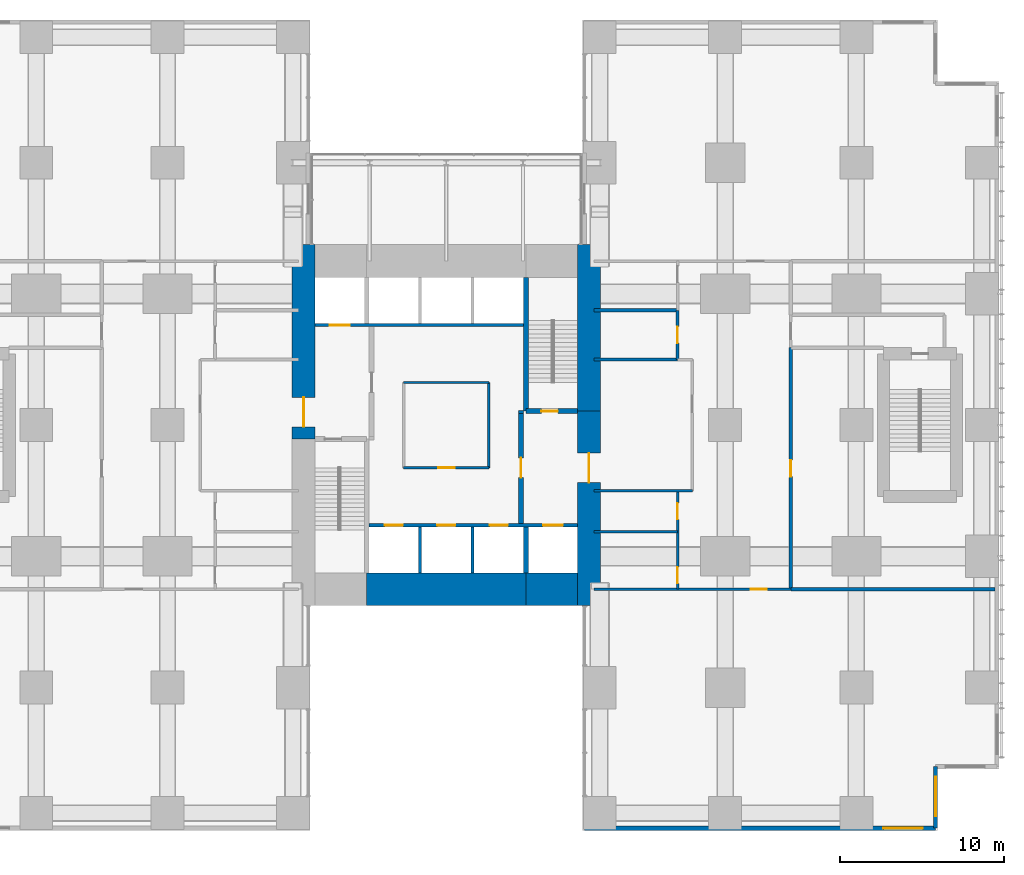
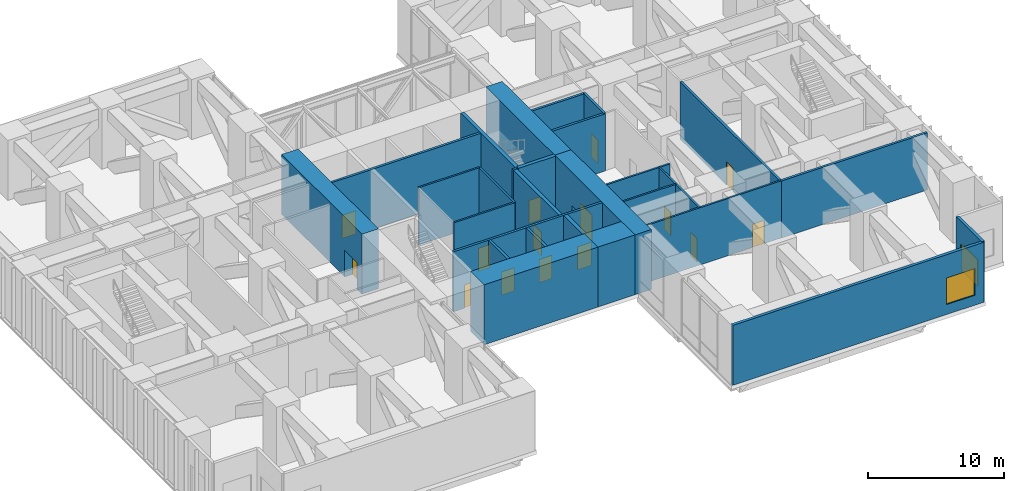
# One storey, part 14 of 17: 28 walls, 15 doors, 2 windows, 17 openings.
"""IFC4 building model written with IfcOpenShell, lengths in metres."""

import ifcopenshell
import ifcopenshell.guid

model = None  # the IFC model being written
_history = None  # IfcOwnerHistory: only IFC2X3 demands one
_inside = {}  # id of a spatial element -> (the spatial element, [elements in it])
_under = {}  # id of a project, library or spatial element -> (it, [spatial elements below it])
_declared = {}  # id of a project -> (the project, [libraries it declares])
_typed = {}  # id of a type object -> (the type object, [elements of that type])
_made_of = {}  # id of a material, layer set ... -> (it, [elements and type objects made of it])


def new_model(schema):
    """Start an empty IFC model of exactly this schema.

    Asked for "IFC4X3", IfcOpenShell would pick the latest addendum, in which some entities
    have other attributes; the version numbers below select the first issue.
    IFC2X3 requires an IfcOwnerHistory on every rooted entity: one is made here for all.
    """
    global model, _history
    if schema == "IFC4X3":
        model = ifcopenshell.file(schema_version=(4, 3, 0, 0))
    else:
        model = ifcopenshell.file(schema=schema)
    _inside.clear()
    _under.clear()
    _declared.clear()
    _typed.clear()
    _made_of.clear()
    _history = None
    if model.schema == "IFC2X3":
        org = make("IfcOrganization", Name="unknown")
        user = make(
            "IfcPersonAndOrganization",
            ThePerson=make("IfcPerson", FamilyName="unknown"),
            TheOrganization=org,
        )
        app = make(
            "IfcApplication",
            ApplicationDeveloper=org,
            Version="unknown",
            ApplicationFullName="unknown",
            ApplicationIdentifier="unknown",
        )
        _history = make(
            "IfcOwnerHistory",
            OwningUser=user,
            OwningApplication=app,
            ChangeAction="ADDED",
            CreationDate=0,
        )
    return model


def make(cls, **values):
    """One entity of the class cls with the attributes given. An attribute that is None is left unset."""
    return model.create_entity(
        cls, **{name: value for name, value in values.items() if value is not None}
    )


def rooted(cls, **values):
    """An entity with a GlobalId (a new one), such as an element, a storey or a relation."""
    return make(cls, GlobalId=ifcopenshell.guid.new(), OwnerHistory=_history, **values)


def si_unit(unit_type, name, prefix=None):
    """IfcSIUnit, for example si_unit("LENGTHUNIT", "METRE", prefix="MILLI")."""
    return make("IfcSIUnit", UnitType=unit_type, Prefix=prefix, Name=name)


def assignment(units):
    """IfcUnitAssignment: the units of a project."""
    return None if units is None else make("IfcUnitAssignment", Units=units)


def point(xyz):
    """IfcCartesianPoint."""
    return None if xyz is None else make("IfcCartesianPoint", Coordinates=xyz)


def direction(xyz):
    """IfcDirection."""
    return None if xyz is None else make("IfcDirection", DirectionRatios=xyz)


def frame(location, z_axis=None, x_axis=None):
    """IfcAxis2Placement3D, a coordinate frame: its origin and axes. An axis left out is left unset."""
    return make(
        "IfcAxis2Placement3D",
        Location=point(location),
        Axis=direction(z_axis),
        RefDirection=direction(x_axis),
    )


def frame_2d(location, x_axis=None):
    """IfcAxis2Placement2D, a coordinate frame in the plane: its origin and x axis."""
    return make(
        "IfcAxis2Placement2D", Location=point(location), RefDirection=direction(x_axis)
    )


def origin():
    """The frame at (0, 0, 0) with its axes left unset."""
    return frame((0.0, 0.0, 0.0))


def place(relative_to, where):
    """IfcLocalPlacement: puts the frame where relative to a parent placement (None: the world)."""
    return make(
        "IfcLocalPlacement", PlacementRelTo=relative_to, RelativePlacement=where
    )


def context(
    kind, dimensions, precision=None, world=None, true_north=None, identifier=None
):
    """IfcGeometricRepresentationContext, for example the 3D "Model" context."""
    return make(
        "IfcGeometricRepresentationContext",
        ContextIdentifier=identifier,
        ContextType=kind,
        CoordinateSpaceDimension=dimensions,
        Precision=precision,
        WorldCoordinateSystem=world,
        TrueNorth=true_north,
    )


def subcontext(parent, identifier, kind, view, scale=None):
    """IfcGeometricRepresentationSubContext, for example "Body" below "Model"."""
    return make(
        "IfcGeometricRepresentationSubContext",
        ContextIdentifier=identifier,
        ContextType=kind,
        ParentContext=parent,
        TargetScale=scale,
        TargetView=view,
    )


def project(units=None, contexts=None):
    """IfcProject with its units and contexts."""
    return rooted(
        "IfcProject",
        Name="project",
        RepresentationContexts=contexts,
        UnitsInContext=assignment(units),
    )


def spatial(cls, under=None, at=None, **own):
    """A site, building, storey or space (cls), placed at a placement, below another one or the project."""
    s = rooted(cls, ObjectPlacement=at, **own)
    if under is not None:
        _under.setdefault(under.id(), (under, []))[1].append(s)
    return s


def profile(cls, at=None, kind="AREA", **sizes):
    """A parametric profile (cls). Its sizes go by their IFC names, for example OverallWidth=200.0."""
    return make(cls, ProfileType=kind, Position=at, **sizes)


def rectangle(**sizes):
    """IfcRectangleProfileDef."""
    return profile("IfcRectangleProfileDef", **sizes)


def extrude(swept, where, along, depth):
    """IfcExtrudedAreaSolid: the profile swept, set in the frame where, extruded along a direction by depth."""
    return make(
        "IfcExtrudedAreaSolid",
        SweptArea=swept,
        Position=where,
        ExtrudedDirection=direction(along),
        Depth=depth,
    )


def shape(context_of_items, identifier, shape_type, items):
    """IfcShapeRepresentation: the items that make up one representation, for example the "Body"."""
    return make(
        "IfcShapeRepresentation",
        ContextOfItems=context_of_items,
        RepresentationIdentifier=identifier,
        RepresentationType=shape_type,
        Items=items,
    )


def material(Name=None, Category=None):
    """IfcMaterial."""
    return make("IfcMaterial", Name=Name, Category=Category)


def layer(
    of_material, thickness, ventilated=None, Name=None, Category=None, Priority=None
):
    """IfcMaterialLayer: one layer of a wall or slab, of a material (None: an air gap)."""
    return make(
        "IfcMaterialLayer",
        Material=of_material,
        LayerThickness=thickness,
        IsVentilated=ventilated,
        Name=Name,
        Category=Category,
        Priority=Priority,
    )


def layer_set(layers, Name=None):
    """IfcMaterialLayerSet."""
    return make("IfcMaterialLayerSet", MaterialLayers=layers, LayerSetName=Name)


def made_of(thing, what):
    """Note that an element or type object is made of a material, layer set ...; save() writes the relation."""
    if what is not None:
        _made_of.setdefault(what.id(), (what, []))[1].append(thing)
    return thing


def type_object(cls, material=None, **own):
    """A type object (cls), such as IfcWallType, which elements share."""
    return made_of(rooted(cls, **own), material)


def element(
    cls,
    number,
    at=None,
    inside=None,
    cuts=None,
    type_object=None,
    material=None,
    context=None,
    identifier="Body",
    shape_type=None,
    held_by="IfcProductDefinitionShape",
    body=None,
    shapes=None,
    **own,
):
    """One element of the class cls, such as IfcWall. Its Tag is "e" and its number.

    at: its placement. inside: the storey or other place that contains it. cuts: it is an
    opening in that element (IfcRelVoidsElement). A single representation is given by context,
    identifier, shape_type and body (its items); several are given by shapes. held_by: the class
    of the entity that holds the representations. save() writes the other relations.
    """
    e = rooted(cls, Tag="e%d" % number, ObjectPlacement=at, **own)
    if body is not None:
        shapes = [shape(context, identifier, shape_type, body)]
    if shapes is not None:
        e.Representation = make(held_by, Representations=shapes)
    if inside is not None:
        _inside.setdefault(inside.id(), (inside, []))[1].append(e)
    if cuts is not None:
        rooted(
            "IfcRelVoidsElement", RelatingBuildingElement=cuts, RelatedOpeningElement=e
        )
    if type_object is not None:
        _typed.setdefault(type_object.id(), (type_object, []))[1].append(e)
    return made_of(e, material)


def fill(opening, filler):
    """IfcRelFillsElement: the door or window that sits in an opening."""
    return rooted(
        "IfcRelFillsElement",
        RelatingOpeningElement=opening,
        RelatedBuildingElement=filler,
    )


def aggregate(whole, parts):
    """IfcRelAggregates: a whole, such as a stair, and the parts it consists of."""
    return rooted("IfcRelAggregates", RelatingObject=whole, RelatedObjects=parts)


def save(model, path):
    """Write the relations noted so far, then the file.

    IfcRelAggregates (storeys below a building ...), IfcRelContainedInSpatialStructure (elements
    in a storey), IfcRelDefinesByType, IfcRelAssociatesMaterial and IfcRelDeclares: one each for
    every whole, place, type object, material and project.
    """
    for whole, parts in _under.values():
        aggregate(whole, parts)
    for where, things in _inside.values():
        rooted(
            "IfcRelContainedInSpatialStructure",
            RelatedElements=things,
            RelatingStructure=where,
        )
    for kind, things in _typed.values():
        rooted("IfcRelDefinesByType", RelatedObjects=things, RelatingType=kind)
    for what, things in _made_of.values():
        rooted("IfcRelAssociatesMaterial", RelatedObjects=things, RelatingMaterial=what)
    for by, libraries in _declared.values():
        rooted("IfcRelDeclares", RelatingContext=by, RelatedDefinitions=libraries)
    model.write(path)


model = new_model("IFC4")

# Units and contexts
model_context = context("Model", 3, precision=1e-05, world=origin(), true_north=direction((0.0, 1.0)))
body_context = subcontext(model_context, "Body", "Model", "MODEL_VIEW")
ifc_project = project(units=[si_unit("LENGTHUNIT", "METRE"), si_unit("AREAUNIT", "SQUARE_METRE"), si_unit("VOLUMEUNIT", "CUBIC_METRE"), si_unit("PLANEANGLEUNIT", "RADIAN"), si_unit("MASSUNIT", "GRAM", prefix="KILO")], contexts=[model_context])

# Site, building, storey
site_placement = place(None, origin())
site = spatial("IfcSite", under=ifc_project, at=site_placement, CompositionType="ELEMENT")
building_placement = place(site_placement, origin())
building = spatial("IfcBuilding", under=site, at=building_placement, Name="Cleftline Residences", CompositionType="ELEMENT")
storey_placement = place(building_placement, frame((0.0, 0.0, 90.800048828125)))
storey = spatial("IfcBuildingStorey", under=building, at=storey_placement, Name="L23", CompositionType="ELEMENT", Elevation=90.800048828125)

# Wall, opening, door
ifc_material_1 = material(Name="Concrete B70", Category="concrete")
ifc_layer_1 = layer(ifc_material_1, 1.39990234375)
ifc_layer_set_1 = layer_set([ifc_layer_1], Name="CORE WALL 1400")
wall_type_1 = type_object("IfcWallType", Name="CORE WALL 1400", PredefinedType="SHEAR", material=ifc_layer_set_1)
wall_1_placement = place(storey_placement, frame((24.300048828125, 23.14990234375, 0.0), z_axis=(0.0, 0.0, 1.0), x_axis=(0.0, 1.0, 0.0)))
wall_1 = element("IfcWall", 1, at=wall_1_placement, inside=storey, type_object=wall_type_1, Name="Core wall W", PredefinedType="SHEAR", context=body_context, shape_type="SweptSolid", body=[
    extrude(rectangle(XDim=11.85009765625, YDim=1.39990234375, at=frame_2d((5.925048828125, 0.0))), origin(), (0.0, 0.0, 1.0), 5.39990234375),
])
opening_1_placement = place(wall_1_placement, frame((0.75, 0.0, 0.0)))
opening_1 = element("IfcOpeningElement", 2, at=opening_1_placement, cuts=wall_1, Name="Opening D7", PredefinedType="OPENING", context=body_context, shape_type="SweptSolid", body=[
    extrude(rectangle(XDim=1.800048828125, YDim=2.39990234375, at=frame_2d((0.89990234375, 1.199951171875))), frame((0.0, 0.7099609375, 0.0), z_axis=(0.0, -1.0, 0.0), x_axis=(1.0, 0.0, 0.0)), (0.0, 0.0, 1.0), 1.419921875),
])
ifc_material_2 = material(Name="Steel", Category="steel")
door_type_1 = type_object("IfcDoorType", Name="WING DOOR 1800X2400", OperationType="DOUBLE_DOOR_DOUBLE_SWING", PredefinedType="DOOR", material=ifc_material_2)
door_1_placement = place(opening_1_placement, origin())
door_1 = element("IfcDoor", 3, at=door_1_placement, inside=storey, type_object=door_type_1, Name="West wing door", OperationType="DOUBLE_DOOR_DOUBLE_SWING", OverallHeight=2.39990234375, OverallWidth=1.800048828125, PredefinedType="DOOR", context=body_context, shape_type="SweptSolid", body=[
    extrude(rectangle(XDim=1.800048828125, YDim=2.39990234375, at=frame_2d((0.89990234375, 1.199951171875))), frame((0.0, 0.02490234375, 0.0), z_axis=(0.0, -1.0, 0.0), x_axis=(1.0, 0.0, 0.0)), (0.0, 0.0, 1.0), 0.050048828125),
])
fill(opening_1, door_1)

wall_2_placement = place(storey_placement, frame((41.699951171875, 13.0, 0.0), z_axis=(0.0, 0.0, 1.0), x_axis=(0.0, 1.0, 0.0)))
wall_2 = element("IfcWall", 4, at=wall_2_placement, inside=storey, type_object=wall_type_1, Name="Core wall E", PredefinedType="SHEAR", context=body_context, shape_type="SweptSolid", body=[
    extrude(rectangle(XDim=11.85009765625, YDim=1.39990234375, at=frame_2d((5.925048828125, 0.0))), origin(), (0.0, 0.0, 1.0), 5.39990234375),
])
opening_2_placement = place(wall_2_placement, frame((7.5, 0.0, 0.0)))
opening_2 = element("IfcOpeningElement", 5, at=opening_2_placement, cuts=wall_2, Name="Opening D7", PredefinedType="OPENING", context=body_context, shape_type="SweptSolid", body=[
    extrude(rectangle(XDim=1.800048828125, YDim=2.39990234375, at=frame_2d((0.89990234375, 1.199951171875))), frame((0.0, 0.7099609375, 0.0), z_axis=(0.0, -1.0, 0.0), x_axis=(1.0, 0.0, 0.0)), (0.0, 0.0, 1.0), 1.419921875),
])
door_2_placement = place(opening_2_placement, origin())
door_2 = element("IfcDoor", 6, at=door_2_placement, inside=storey, type_object=door_type_1, Name="East wing door", OperationType="DOUBLE_DOOR_DOUBLE_SWING", OverallHeight=2.39990234375, OverallWidth=1.800048828125, PredefinedType="DOOR", context=body_context, shape_type="SweptSolid", body=[
    extrude(rectangle(XDim=1.800048828125, YDim=2.39990234375, at=frame_2d((0.89990234375, 1.199951171875))), frame((0.0, 0.02490234375, 0.0), z_axis=(0.0, -1.0, 0.0), x_axis=(1.0, 0.0, 0.0)), (0.0, 0.0, 1.0), 0.050048828125),
])
fill(opening_2, door_2)

# Walls
wall_3_placement = place(storey_placement, frame((41.699951171875, 24.85009765625, 0.0), z_axis=(0.0, 0.0, 1.0), x_axis=(0.0, 1.0, 0.0)))
element("IfcWall", 7, at=wall_3_placement, inside=storey, type_object=wall_type_1, Name="Core wall E1", PredefinedType="SHEAR", context=body_context, shape_type="SweptSolid", body=[
    extrude(rectangle(XDim=10.14990234375, YDim=1.39990234375, at=frame_2d((5.074951171875, 0.0))), origin(), (0.0, 0.0, 1.0), 5.39990234375),
])
ifc_material_3 = material(Name="Concrete B70", Category="concrete")
ifc_layer_2 = layer(ifc_material_3, 2.0)
ifc_layer_set_2 = layer_set([ifc_layer_2], Name="CORE WALL 2000")
wall_type_2 = type_object("IfcWallType", Name="CORE WALL 2000", PredefinedType="SHEAR", material=ifc_layer_set_2)
wall_4_placement = place(storey_placement, frame((28.14990234375, 14.0, 0.0), z_axis=(0.0, 0.0, 1.0), x_axis=(1.0, 0.0, 0.0)))
element("IfcWall", 8, at=wall_4_placement, inside=storey, type_object=wall_type_2, Name="Core wall S2", PredefinedType="SHEAR", context=body_context, shape_type="SweptSolid", body=[
    extrude(rectangle(XDim=9.7001953125, YDim=2.0, at=frame_2d((4.85009765625, 0.0))), origin(), (0.0, 0.0, 1.0), 5.39990234375),
])
wall_5_placement = place(storey_placement, frame((37.85009765625, 14.0, 0.0), z_axis=(0.0, 0.0, 1.0), x_axis=(1.0, 0.0, 0.0)))
element("IfcWall", 9, at=wall_5_placement, inside=storey, type_object=wall_type_2, Name="Core wall S3", PredefinedType="SHEAR", context=body_context, shape_type="SweptSolid", body=[
    extrude(rectangle(XDim=3.14990234375, YDim=2.0, at=frame_2d((1.574951171875, 0.0))), origin(), (0.0, 0.0, 1.0), 5.39990234375),
])
ifc_material_4 = material(Name="Concrete B70", Category="concrete")
ifc_layer_3 = layer(ifc_material_4, 0.300048828125)
ifc_layer_set_3 = layer_set([ifc_layer_3], Name="CORE WALL 300")
wall_type_3 = type_object("IfcWallType", Name="CORE WALL 300", PredefinedType="SHEAR", material=ifc_layer_set_3)
wall_6_placement = place(storey_placement, frame((37.85009765625, 24.85009765625, 0.0), z_axis=(0.0, 0.0, 1.0), x_axis=(0.0, 1.0, 0.0)))
element("IfcWall", 10, at=wall_6_placement, inside=storey, type_object=wall_type_3, Name="Core wall SB-W", PredefinedType="SHEAR", context=body_context, shape_type="SweptSolid", body=[
    extrude(rectangle(XDim=8.14990234375, YDim=0.300048828125, at=frame_2d((4.074951171875, 0.0))), origin(), (0.0, 0.0, 1.0), 5.39990234375),
])

# Wall, opening, door
wall_7_placement = place(storey_placement, frame((37.85009765625, 24.85009765625, 0.0), z_axis=(0.0, 0.0, 1.0), x_axis=(1.0, 0.0, 0.0)))
wall_7 = element("IfcWall", 11, at=wall_7_placement, inside=storey, type_object=wall_type_3, Name="Core wall SB-S", PredefinedType="SHEAR", context=body_context, shape_type="SweptSolid", body=[
    extrude(rectangle(XDim=3.14990234375, YDim=0.300048828125, at=frame_2d((1.574951171875, 0.0))), origin(), (0.0, 0.0, 1.0), 5.39990234375),
])
opening_3_placement = place(wall_7_placement, frame((0.949951171875, 0.0, 0.0)))
opening_3 = element("IfcOpeningElement", 12, at=opening_3_placement, cuts=wall_7, Name="Opening D5", PredefinedType="OPENING", context=body_context, shape_type="SweptSolid", body=[
    extrude(rectangle(XDim=1.0, YDim=2.10009765625, at=frame_2d((0.5, 1.050048828125))), frame((0.0, 0.159912109375, 0.0), z_axis=(0.0, -1.0, 0.0), x_axis=(1.0, 0.0, 0.0)), (0.0, 0.0, 1.0), 0.320068359375),
])
ifc_material_5 = material(Name="Steel", Category="steel")
door_type_2 = type_object("IfcDoorType", Name="STAIR DOOR 1000X2100", OperationType="SINGLE_SWING_LEFT", PredefinedType="DOOR", material=ifc_material_5)
door_3_placement = place(opening_3_placement, origin())
door_3 = element("IfcDoor", 13, at=door_3_placement, inside=storey, type_object=door_type_2, Name="Stair B door", OperationType="SINGLE_SWING_RIGHT", OverallHeight=2.10009765625, OverallWidth=1.0, PredefinedType="DOOR", context=body_context, shape_type="SweptSolid", body=[
    extrude(rectangle(XDim=1.0, YDim=2.10009765625, at=frame_2d((0.5, 1.050048828125))), frame((0.0, 0.02490234375, 0.0), z_axis=(0.0, -1.0, 0.0), x_axis=(1.0, 0.0, 0.0)), (0.0, 0.0, 1.0), 0.050048828125),
])
fill(opening_3, door_3)

# Wall
wall_8_placement = place(storey_placement, frame((37.85009765625, 15.0, 0.0), z_axis=(0.0, 0.0, 1.0), x_axis=(0.0, 1.0, 0.0)))
element("IfcWall", 14, at=wall_8_placement, inside=storey, type_object=wall_type_3, Name="Lift shaft wall", PredefinedType="SHEAR", context=body_context, shape_type="SweptSolid", body=[
    extrude(rectangle(XDim=2.800048828125, YDim=0.300048828125, at=frame_2d((1.39990234375, 0.0))), origin(), (0.0, 0.0, 1.0), 5.39990234375),
])

# Wall, opening, window
ifc_material_6 = material(Name="Rendered reinforced concrete blockwork", Category="masonry")
ifc_layer_4 = layer(ifc_material_6, 0.25)
ifc_layer_set_4 = layer_set([ifc_layer_4], Name="EXTERNAL WALL 250")
wall_type_4 = type_object("IfcWallType", Name="EXTERNAL WALL 250", PredefinedType="SOLIDWALL", material=ifc_layer_set_4)
wall_9_placement = place(storey_placement, frame((41.425048828125, -0.574951171875, 0.0), z_axis=(0.0, 0.0, 1.0), x_axis=(1.0, 0.0, 0.0)))
wall_9 = element("IfcWall", 15, at=wall_9_placement, inside=storey, type_object=wall_type_4, Name="External wall", PredefinedType="SOLIDWALL", context=body_context, shape_type="SweptSolid", body=[
    extrude(rectangle(XDim=21.39990234375, YDim=0.25, at=frame_2d((10.699951171875, 0.0))), origin(), (0.0, 0.0, 1.0), 5.39990234375),
])
opening_4_placement = place(wall_9_placement, frame((18.22509765625, 0.0, 0.89990234375)))
opening_4 = element("IfcOpeningElement", 16, at=opening_4_placement, cuts=wall_9, Name="Opening W9", PredefinedType="OPENING", context=body_context, shape_type="SweptSolid", body=[
    extrude(rectangle(XDim=2.39990234375, YDim=2.39990234375, at=frame_2d((1.199951171875, 1.199951171875))), frame((0.0, 0.135009765625, 0.0), z_axis=(0.0, -1.0, 0.0), x_axis=(1.0, 0.0, 0.0)), (0.0, 0.0, 1.0), 0.27001953125),
])
ifc_material_7 = material(Name="Aluminium frame, clear double glazing", Category="aluminium")
window_type = type_object("IfcWindowType", Name="WINDOW 2400X2400", PartitioningType="DOUBLE_PANEL_VERTICAL", PredefinedType="WINDOW", material=ifc_material_7)
window_1_placement = place(opening_4_placement, origin())
window_1 = element("IfcWindow", 17, at=window_1_placement, inside=storey, type_object=window_type, Name="Window", OverallHeight=2.39990234375, OverallWidth=2.39990234375, PartitioningType="SINGLE_PANEL", PredefinedType="WINDOW", context=body_context, shape_type="SweptSolid", body=[
    extrude(rectangle(XDim=2.39990234375, YDim=2.39990234375, at=frame_2d((1.199951171875, 1.199951171875))), frame((0.0, 0.030029296875, 0.0), z_axis=(0.0, -1.0, 0.0), x_axis=(1.0, 0.0, 0.0)), (0.0, 0.0, 1.0), 0.06005859375),
])
fill(opening_4, window_1)

wall_10_placement = place(storey_placement, frame((62.824951171875, -0.574951171875, 0.0), z_axis=(0.0, 0.0, 1.0), x_axis=(0.0, 1.0, 0.0)))
wall_10 = element("IfcWall", 18, at=wall_10_placement, inside=storey, type_object=wall_type_4, Name="External wall", PredefinedType="SOLIDWALL", context=body_context, shape_type="SweptSolid", body=[
    extrude(rectangle(XDim=3.75, YDim=0.25, at=frame_2d((1.875, 0.0))), origin(), (0.0, 0.0, 1.0), 5.39990234375),
])
opening_5_placement = place(wall_10_placement, frame((0.737548828125, 0.0, 0.89990234375)))
opening_5 = element("IfcOpeningElement", 19, at=opening_5_placement, cuts=wall_10, Name="Opening W9", PredefinedType="OPENING", context=body_context, shape_type="SweptSolid", body=[
    extrude(rectangle(XDim=2.39990234375, YDim=2.39990234375, at=frame_2d((1.199951171875, 1.199951171875))), frame((0.0, 0.135009765625, 0.0), z_axis=(0.0, -1.0, 0.0), x_axis=(1.0, 0.0, 0.0)), (0.0, 0.0, 1.0), 0.27001953125),
])
window_2_placement = place(opening_5_placement, origin())
window_2 = element("IfcWindow", 20, at=window_2_placement, inside=storey, type_object=window_type, Name="Window", OverallHeight=2.39990234375, OverallWidth=2.39990234375, PartitioningType="SINGLE_PANEL", PredefinedType="WINDOW", context=body_context, shape_type="SweptSolid", body=[
    extrude(rectangle(XDim=2.39990234375, YDim=2.39990234375, at=frame_2d((1.199951171875, 1.199951171875))), frame((0.0, 0.030029296875, 0.0), z_axis=(0.0, -1.0, 0.0), x_axis=(1.0, 0.0, 0.0)), (0.0, 0.0, 1.0), 0.06005859375),
])
fill(opening_5, window_2)

# Walls
ifc_material_8 = material(Name="Concrete blockwork, fire rated", Category="masonry")
ifc_layer_5 = layer(ifc_material_8, 0.199951171875)
ifc_layer_set_5 = layer_set([ifc_layer_5], Name="FIRE WALL 200")
wall_type_5 = type_object("IfcWallType", Name="FIRE WALL 200", PredefinedType="PARTITIONING", material=ifc_layer_set_5)
wall_11_placement = place(storey_placement, frame((54.0, 14.0, 0.0), z_axis=(0.0, 0.0, 1.0), x_axis=(1.0, 0.0, 0.0)))
element("IfcWall", 21, at=wall_11_placement, inside=storey, type_object=wall_type_5, Name="Fire separating wall", PredefinedType="PARTITIONING", context=body_context, shape_type="SweptSolid", body=[
    extrude(rectangle(XDim=12.449951171875, YDim=0.199951171875, at=frame_2d((6.22509765625, 0.0))), origin(), (0.0, 0.0, 1.0), 5.14990234375),
])
for number, where, z_axis, x_axis, name in (
    (22, (42.0, 28.0, 0.0), (0.0, 0.0, 1.0), (1.0, 0.0, 0.0), "Fire separating wall"),
    (23, (42.0, 31.0, 0.0), (0.0, 0.0, 1.0), (1.0, 0.0, 0.0), "Fire separating wall"),
):
    element("IfcWall", number, at=place(storey_placement, frame(where, z_axis=z_axis, x_axis=x_axis)), inside=storey, type_object=wall_type_5, Name=name, PredefinedType="PARTITIONING", context=body_context, shape_type="SweptSolid", body=[
        extrude(rectangle(XDim=5.10009765625, YDim=0.199951171875, at=frame_2d((2.550048828125, 0.0))), origin(), (0.0, 0.0, 1.0), 5.14990234375),
    ])

# Wall, opening, door
wall_12_placement = place(storey_placement, frame((47.10009765625, 28.0, 0.0), z_axis=(0.0, 0.0, 1.0), x_axis=(0.0, 1.0, 0.0)))
wall_12 = element("IfcWall", 24, at=wall_12_placement, inside=storey, type_object=wall_type_5, Name="Fire separating wall", PredefinedType="PARTITIONING", context=body_context, shape_type="SweptSolid", body=[
    extrude(rectangle(XDim=3.0, YDim=0.199951171875, at=frame_2d((1.5, 0.0))), origin(), (0.0, 0.0, 1.0), 5.14990234375),
])
opening_6_placement = place(wall_12_placement, frame((1.0, 0.0, 0.0)))
opening_6 = element("IfcOpeningElement", 25, at=opening_6_placement, cuts=wall_12, Name="Opening D2F60", PredefinedType="OPENING", context=body_context, shape_type="SweptSolid", body=[
    extrude(rectangle(XDim=1.0, YDim=2.10009765625, at=frame_2d((0.5, 1.050048828125))), frame((0.0, 0.10986328125, 0.0), z_axis=(0.0, -1.0, 0.0), x_axis=(1.0, 0.0, 0.0)), (0.0, 0.0, 1.0), 0.219970703125),
])
ifc_material_9 = material(Name="Timber veneer on solid core", Category="wood")
door_type_3 = type_object("IfcDoorType", Name="DOOR 1000X2100 EI 60", OperationType="SINGLE_SWING_LEFT", PredefinedType="DOOR", material=ifc_material_9)
door_4_placement = place(opening_6_placement, origin())
door_4 = element("IfcDoor", 26, at=door_4_placement, inside=storey, type_object=door_type_3, Name="Door to water tank room", OperationType="SINGLE_SWING_LEFT", OverallHeight=2.10009765625, OverallWidth=1.0, PredefinedType="DOOR", context=body_context, shape_type="SweptSolid", body=[
    extrude(rectangle(XDim=1.0, YDim=2.10009765625, at=frame_2d((0.5, 1.050048828125))), frame((0.0, 0.02490234375, 0.0), z_axis=(0.0, -1.0, 0.0), x_axis=(1.0, 0.0, 0.0)), (0.0, 0.0, 1.0), 0.050048828125),
])
fill(opening_6, door_4)

wall_13_placement = place(storey_placement, frame((54.0, 14.0, 0.0), z_axis=(0.0, 0.0, 1.0), x_axis=(0.0, 1.0, 0.0)))
wall_13 = element("IfcWall", 27, at=wall_13_placement, inside=storey, type_object=wall_type_5, Name="Fire separating wall", PredefinedType="PARTITIONING", context=body_context, shape_type="SweptSolid", body=[
    extrude(rectangle(XDim=14.72509765625, YDim=0.199951171875, at=frame_2d((7.362548828125, 0.0))), origin(), (0.0, 0.0, 1.0), 5.14990234375),
])
opening_7_placement = place(wall_13_placement, frame((6.862548828125, 0.0, 0.0)))
opening_7 = element("IfcOpeningElement", 28, at=opening_7_placement, cuts=wall_13, Name="Opening D2F60", PredefinedType="OPENING", context=body_context, shape_type="SweptSolid", body=[
    extrude(rectangle(XDim=1.0, YDim=2.10009765625, at=frame_2d((0.5, 1.050048828125))), frame((0.0, 0.10986328125, 0.0), z_axis=(0.0, -1.0, 0.0), x_axis=(1.0, 0.0, 0.0)), (0.0, 0.0, 1.0), 0.219970703125),
])
door_5_placement = place(opening_7_placement, origin())
door_5 = element("IfcDoor", 29, at=door_5_placement, inside=storey, type_object=door_type_3, Name="Door to mechanical plant room", OperationType="SINGLE_SWING_LEFT", OverallHeight=2.10009765625, OverallWidth=1.0, PredefinedType="DOOR", context=body_context, shape_type="SweptSolid", body=[
    extrude(rectangle(XDim=1.0, YDim=2.10009765625, at=frame_2d((0.5, 1.050048828125))), frame((0.0, 0.02490234375, 0.0), z_axis=(0.0, -1.0, 0.0), x_axis=(1.0, 0.0, 0.0)), (0.0, 0.0, 1.0), 0.050048828125),
])
fill(opening_7, door_5)

# Wall
wall_14_placement = place(storey_placement, frame((37.39990234375, 24.800048828125, 0.0), z_axis=(0.0, 0.0, 1.0), x_axis=(1.0, 0.0, 0.0)))
element("IfcWall", 30, at=wall_14_placement, inside=storey, type_object=wall_type_5, Name="Fire separating wall", PredefinedType="PARTITIONING", context=body_context, shape_type="SweptSolid", body=[
    extrude(rectangle(XDim=0.300048828125, YDim=0.199951171875, at=frame_2d((0.14990234375, 0.0))), origin(), (0.0, 0.0, 1.0), 5.39990234375),
])

# Wall, opening, door
ifc_material_10 = material(Name="Gypsum board on steel studs", Category="steel")
ifc_layer_6 = layer(ifc_material_10, 0.14990234375)
ifc_layer_set_6 = layer_set([ifc_layer_6], Name="PARTITION 150")
wall_type_6 = type_object("IfcWallType", Name="PARTITION 150", PredefinedType="PARTITIONING", material=ifc_layer_set_6)
wall_15_placement = place(storey_placement, frame((42.0, 14.0, 0.0), z_axis=(0.0, 0.0, 1.0), x_axis=(1.0, 0.0, 0.0)))
wall_15 = element("IfcWall", 31, at=wall_15_placement, inside=storey, type_object=wall_type_6, Name="Partition", PredefinedType="PARTITIONING", context=body_context, shape_type="SweptSolid", body=[
    extrude(rectangle(XDim=12.0, YDim=0.14990234375, at=frame_2d((6.0, 0.0))), origin(), (0.0, 0.0, 1.0), 5.14990234375),
])
opening_8_placement = place(wall_15_placement, frame((9.550048828125, 0.0, 0.0)))
opening_8 = element("IfcOpeningElement", 32, at=opening_8_placement, cuts=wall_15, Name="Opening D2F60", PredefinedType="OPENING", context=body_context, shape_type="SweptSolid", body=[
    extrude(rectangle(XDim=1.0, YDim=2.10009765625, at=frame_2d((0.5, 1.050048828125))), frame((0.0, 0.0849609375, 0.0), z_axis=(0.0, -1.0, 0.0), x_axis=(1.0, 0.0, 0.0)), (0.0, 0.0, 1.0), 0.169921875),
])
door_6_placement = place(opening_8_placement, origin())
door_6 = element("IfcDoor", 33, at=door_6_placement, inside=storey, type_object=door_type_3, Name="Door to refuge area", OperationType="SINGLE_SWING_LEFT", OverallHeight=2.10009765625, OverallWidth=1.0, PredefinedType="DOOR", context=body_context, shape_type="SweptSolid", body=[
    extrude(rectangle(XDim=1.0, YDim=2.10009765625, at=frame_2d((0.5, 1.050048828125))), frame((0.0, 0.02490234375, 0.0), z_axis=(0.0, -1.0, 0.0), x_axis=(1.0, 0.0, 0.0)), (0.0, 0.0, 1.0), 0.050048828125),
])
fill(opening_8, door_6)

# Walls
wall_16_placement = place(storey_placement, frame((42.0, 17.5, 0.0), z_axis=(0.0, 0.0, 1.0), x_axis=(1.0, 0.0, 0.0)))
element("IfcWall", 34, at=wall_16_placement, inside=storey, type_object=wall_type_6, Name="Partition", PredefinedType="PARTITIONING", context=body_context, shape_type="SweptSolid", body=[
    extrude(rectangle(XDim=5.10009765625, YDim=0.14990234375, at=frame_2d((2.550048828125, 0.0))), origin(), (0.0, 0.0, 1.0), 5.14990234375),
])
wall_17_placement = place(storey_placement, frame((42.0, 20.0, 0.0), z_axis=(0.0, 0.0, 1.0), x_axis=(1.0, 0.0, 0.0)))
element("IfcWall", 35, at=wall_17_placement, inside=storey, type_object=wall_type_6, Name="Partition", PredefinedType="PARTITIONING", context=body_context, shape_type="SweptSolid", body=[
    extrude(rectangle(XDim=6.0, YDim=0.14990234375, at=frame_2d((3.0, 0.0))), origin(), (0.0, 0.0, 1.0), 5.14990234375),
])

# Wall, openings, doors
wall_18_placement = place(storey_placement, frame((47.10009765625, 14.0, 0.0), z_axis=(0.0, 0.0, 1.0), x_axis=(0.0, 1.0, 0.0)))
wall_18 = element("IfcWall", 36, at=wall_18_placement, inside=storey, type_object=wall_type_6, Name="Partition", PredefinedType="PARTITIONING", context=body_context, shape_type="SweptSolid", body=[
    extrude(rectangle(XDim=6.0, YDim=0.14990234375, at=frame_2d((3.0, 0.0))), origin(), (0.0, 0.0, 1.0), 5.14990234375),
])
opening_9_placement = place(wall_18_placement, frame((0.35009765625, 0.0, 0.0)))
opening_9 = element("IfcOpeningElement", 37, at=opening_9_placement, cuts=wall_18, Name="Opening D2F60", PredefinedType="OPENING", context=body_context, shape_type="SweptSolid", body=[
    extrude(rectangle(XDim=1.0, YDim=2.10009765625, at=frame_2d((0.5, 1.050048828125))), frame((0.0, 0.0849609375, 0.0), z_axis=(0.0, -1.0, 0.0), x_axis=(1.0, 0.0, 0.0)), (0.0, 0.0, 1.0), 0.169921875),
])
opening_10_placement = place(wall_18_placement, frame((4.25, 0.0, 0.0)))
opening_10 = element("IfcOpeningElement", 38, at=opening_10_placement, cuts=wall_18, Name="Opening D2F60", PredefinedType="OPENING", context=body_context, shape_type="SweptSolid", body=[
    extrude(rectangle(XDim=1.0, YDim=2.10009765625, at=frame_2d((0.5, 1.050048828125))), frame((0.0, 0.0849609375, 0.0), z_axis=(0.0, -1.0, 0.0), x_axis=(1.0, 0.0, 0.0)), (0.0, 0.0, 1.0), 0.169921875),
])
door_7_placement = place(opening_9_placement, origin())
door_7 = element("IfcDoor", 39, at=door_7_placement, inside=storey, type_object=door_type_3, Name="Door to electrical room", OperationType="SINGLE_SWING_RIGHT", OverallHeight=2.10009765625, OverallWidth=1.0, PredefinedType="DOOR", context=body_context, shape_type="SweptSolid", body=[
    extrude(rectangle(XDim=1.0, YDim=2.10009765625, at=frame_2d((0.5, 1.050048828125))), frame((0.0, 0.02490234375, 0.0), z_axis=(0.0, -1.0, 0.0), x_axis=(1.0, 0.0, 0.0)), (0.0, 0.0, 1.0), 0.050048828125),
])
fill(opening_9, door_7)
door_8_placement = place(opening_10_placement, origin())
door_8 = element("IfcDoor", 40, at=door_8_placement, inside=storey, type_object=door_type_3, Name="Door to fire pump room", OperationType="SINGLE_SWING_LEFT", OverallHeight=2.10009765625, OverallWidth=1.0, PredefinedType="DOOR", context=body_context, shape_type="SweptSolid", body=[
    extrude(rectangle(XDim=1.0, YDim=2.10009765625, at=frame_2d((0.5, 1.050048828125))), frame((0.0, 0.02490234375, 0.0), z_axis=(0.0, -1.0, 0.0), x_axis=(1.0, 0.0, 0.0)), (0.0, 0.0, 1.0), 0.050048828125),
])
fill(opening_10, door_8)

# Wall, opening, door
ifc_material_11 = material(Name="Fire-resisting gypsum board on steel studs", Category="steel")
ifc_layer_7 = layer(ifc_material_11, 0.14990234375)
ifc_layer_set_7 = layer_set([ifc_layer_7], Name="PARTITION 150 EI 60")
wall_type_7 = type_object("IfcWallType", Name="PARTITION 150 EI 60", PredefinedType="PARTITIONING", material=ifc_layer_set_7)
wall_19_placement = place(storey_placement, frame((30.39990234375, 21.39990234375, 0.0), z_axis=(0.0, 0.0, 1.0), x_axis=(1.0, 0.0, 0.0)))
wall_19 = element("IfcWall", 41, at=wall_19_placement, inside=storey, type_object=wall_type_7, Name="Core room partition", PredefinedType="PARTITIONING", context=body_context, shape_type="SweptSolid", body=[
    extrude(rectangle(XDim=5.2001953125, YDim=0.14990234375, at=frame_2d((2.60009765625, 0.0))), origin(), (0.0, 0.0, 1.0), 5.14990234375),
])
opening_11_placement = place(wall_19_placement, frame((2.10009765625, 0.0, 0.0)))
opening_11 = element("IfcOpeningElement", 42, at=opening_11_placement, cuts=wall_19, Name="Opening D2F60", PredefinedType="OPENING", context=body_context, shape_type="SweptSolid", body=[
    extrude(rectangle(XDim=1.0, YDim=2.10009765625, at=frame_2d((0.5, 1.050048828125))), frame((0.0, 0.0849609375, 0.0), z_axis=(0.0, -1.0, 0.0), x_axis=(1.0, 0.0, 0.0)), (0.0, 0.0, 1.0), 0.169921875),
])
door_9_placement = place(opening_11_placement, origin())
door_9 = element("IfcDoor", 43, at=door_9_placement, inside=storey, type_object=door_type_3, Name="Door to telecom room", OperationType="SINGLE_SWING_LEFT", OverallHeight=2.10009765625, OverallWidth=1.0, PredefinedType="DOOR", context=body_context, shape_type="SweptSolid", body=[
    extrude(rectangle(XDim=1.0, YDim=2.10009765625, at=frame_2d((0.5, 1.050048828125))), frame((0.0, 0.02490234375, 0.0), z_axis=(0.0, -1.0, 0.0), x_axis=(1.0, 0.0, 0.0)), (0.0, 0.0, 1.0), 0.050048828125),
])
fill(opening_11, door_9)

# Walls
for number, where, z_axis, x_axis, name in (
    (44, (30.39990234375, 26.60009765625, 0.0), (0.0, 0.0, 1.0), (1.0, 0.0, 0.0), "Core room partition"),
    (45, (35.60009765625, 21.39990234375, 0.0), (0.0, 0.0, 1.0), (0.0, 1.0, 0.0), "Core room partition"),
):
    element("IfcWall", number, at=place(storey_placement, frame(where, z_axis=z_axis, x_axis=x_axis)), inside=storey, type_object=wall_type_7, Name=name, PredefinedType="PARTITIONING", context=body_context, shape_type="SweptSolid", body=[
        extrude(rectangle(XDim=5.2001953125, YDim=0.14990234375, at=frame_2d((2.60009765625, 0.0))), origin(), (0.0, 0.0, 1.0), 5.14990234375),
    ])

# Wall, openings, doors
ifc_material_12 = material(Name="Concrete blockwork, fire rated", Category="masonry")
ifc_layer_8 = layer(ifc_material_12, 0.199951171875)
ifc_layer_set_8 = layer_set([ifc_layer_8], Name="SHAFT WALL 200")
wall_type_8 = type_object("IfcWallType", Name="SHAFT WALL 200", PredefinedType="PARTITIONING", material=ifc_layer_set_8)
wall_20_placement = place(storey_placement, frame((28.300048828125, 17.89990234375, 0.0), z_axis=(0.0, 0.0, 1.0), x_axis=(1.0, 0.0, 0.0)))
wall_20 = element("IfcWall", 46, at=wall_20_placement, inside=storey, type_object=wall_type_8, Name="Lift shaft wall", PredefinedType="PARTITIONING", context=body_context, shape_type="SweptSolid", body=[
    extrude(rectangle(XDim=12.699951171875, YDim=0.199951171875, at=frame_2d((6.35009765625, 0.0))), origin(), (0.0, 0.0, 1.0), 5.39990234375),
])
opening_12_placement = place(wall_20_placement, frame((0.949951171875, 0.0, 0.0)))
opening_12 = element("IfcOpeningElement", 47, at=opening_12_placement, cuts=wall_20, Name="Opening LD1", PredefinedType="OPENING", context=body_context, shape_type="SweptSolid", body=[
    extrude(rectangle(XDim=1.10009765625, YDim=2.10009765625, at=frame_2d((0.550048828125, 1.050048828125))), frame((0.0, 0.10986328125, 0.0), z_axis=(0.0, -1.0, 0.0), x_axis=(1.0, 0.0, 0.0)), (0.0, 0.0, 1.0), 0.219970703125),
])
opening_13_placement = place(wall_20_placement, frame((4.14990234375, 0.0, 0.0)))
opening_13 = element("IfcOpeningElement", 48, at=opening_13_placement, cuts=wall_20, Name="Opening LD1", PredefinedType="OPENING", context=body_context, shape_type="SweptSolid", body=[
    extrude(rectangle(XDim=1.10009765625, YDim=2.10009765625, at=frame_2d((0.550048828125, 1.050048828125))), frame((0.0, 0.10986328125, 0.0), z_axis=(0.0, -1.0, 0.0), x_axis=(1.0, 0.0, 0.0)), (0.0, 0.0, 1.0), 0.219970703125),
])
opening_14_placement = place(wall_20_placement, frame((7.35009765625, 0.0, 0.0)))
opening_14 = element("IfcOpeningElement", 49, at=opening_14_placement, cuts=wall_20, Name="Opening LD1", PredefinedType="OPENING", context=body_context, shape_type="SweptSolid", body=[
    extrude(rectangle(XDim=1.10009765625, YDim=2.10009765625, at=frame_2d((0.550048828125, 1.050048828125))), frame((0.0, 0.10986328125, 0.0), z_axis=(0.0, -1.0, 0.0), x_axis=(1.0, 0.0, 0.0)), (0.0, 0.0, 1.0), 0.219970703125),
])
opening_15_placement = place(wall_20_placement, frame((10.60009765625, 0.0, 0.0)))
opening_15 = element("IfcOpeningElement", 50, at=opening_15_placement, cuts=wall_20, Name="Opening LD2", PredefinedType="OPENING", context=body_context, shape_type="SweptSolid", body=[
    extrude(rectangle(XDim=1.199951171875, YDim=2.10009765625, at=frame_2d((0.60009765625, 1.050048828125))), frame((0.0, 0.10986328125, 0.0), z_axis=(0.0, -1.0, 0.0), x_axis=(1.0, 0.0, 0.0)), (0.0, 0.0, 1.0), 0.219970703125),
])
ifc_material_13 = material(Name="Steel", Category="steel")
door_type_4 = type_object("IfcDoorType", Name="FIREFIGHTING LIFT LANDING DOOR 1200X2100", OperationType="SLIDING_TO_LEFT", PredefinedType="DOOR", material=ifc_material_13)
door_10_placement = place(opening_15_placement, origin())
door_10 = element("IfcDoor", 51, at=door_10_placement, inside=storey, type_object=door_type_4, Name="Lift FL2 landing door", OperationType="SLIDING_TO_LEFT", OverallHeight=2.10009765625, OverallWidth=1.199951171875, PredefinedType="DOOR", context=body_context, shape_type="SweptSolid", body=[
    extrude(rectangle(XDim=1.199951171875, YDim=2.10009765625, at=frame_2d((0.60009765625, 1.050048828125))), frame((0.0, 0.02490234375, 0.0), z_axis=(0.0, -1.0, 0.0), x_axis=(1.0, 0.0, 0.0)), (0.0, 0.0, 1.0), 0.050048828125),
])
fill(opening_15, door_10)
ifc_material_14 = material(Name="Steel", Category="steel")
door_type_5 = type_object("IfcDoorType", Name="LIFT LANDING DOOR 1100X2100", OperationType="SLIDING_TO_LEFT", PredefinedType="DOOR", material=ifc_material_14)
door_11_placement = place(opening_12_placement, origin())
door_11 = element("IfcDoor", 52, at=door_11_placement, inside=storey, type_object=door_type_5, Name="Lift P1 landing door", OperationType="SLIDING_TO_LEFT", OverallHeight=2.10009765625, OverallWidth=1.10009765625, PredefinedType="DOOR", context=body_context, shape_type="SweptSolid", body=[
    extrude(rectangle(XDim=1.10009765625, YDim=2.10009765625, at=frame_2d((0.550048828125, 1.050048828125))), frame((0.0, 0.02490234375, 0.0), z_axis=(0.0, -1.0, 0.0), x_axis=(1.0, 0.0, 0.0)), (0.0, 0.0, 1.0), 0.050048828125),
])
fill(opening_12, door_11)
door_12_placement = place(opening_13_placement, origin())
door_12 = element("IfcDoor", 53, at=door_12_placement, inside=storey, type_object=door_type_5, Name="Lift P2 landing door", OperationType="SLIDING_TO_LEFT", OverallHeight=2.10009765625, OverallWidth=1.10009765625, PredefinedType="DOOR", context=body_context, shape_type="SweptSolid", body=[
    extrude(rectangle(XDim=1.10009765625, YDim=2.10009765625, at=frame_2d((0.550048828125, 1.050048828125))), frame((0.0, 0.02490234375, 0.0), z_axis=(0.0, -1.0, 0.0), x_axis=(1.0, 0.0, 0.0)), (0.0, 0.0, 1.0), 0.050048828125),
])
fill(opening_13, door_12)
door_13_placement = place(opening_14_placement, origin())
door_13 = element("IfcDoor", 54, at=door_13_placement, inside=storey, type_object=door_type_5, Name="Lift P3 landing door", OperationType="SLIDING_TO_LEFT", OverallHeight=2.10009765625, OverallWidth=1.10009765625, PredefinedType="DOOR", context=body_context, shape_type="SweptSolid", body=[
    extrude(rectangle(XDim=1.10009765625, YDim=2.10009765625, at=frame_2d((0.550048828125, 1.050048828125))), frame((0.0, 0.02490234375, 0.0), z_axis=(0.0, -1.0, 0.0), x_axis=(1.0, 0.0, 0.0)), (0.0, 0.0, 1.0), 0.050048828125),
])
fill(opening_14, door_13)

# Wall, opening, door
wall_21_placement = place(storey_placement, frame((25.0, 30.10009765625, 0.0), z_axis=(0.0, 0.0, 1.0), x_axis=(1.0, 0.0, 0.0)))
wall_21 = element("IfcWall", 55, at=wall_21_placement, inside=storey, type_object=wall_type_8, Name="Lift shaft wall", PredefinedType="PARTITIONING", context=body_context, shape_type="SweptSolid", body=[
    extrude(rectangle(XDim=12.699951171875, YDim=0.199951171875, at=frame_2d((6.35009765625, 0.0))), origin(), (0.0, 0.0, 1.0), 5.39990234375),
])
opening_16_placement = place(wall_21_placement, frame((0.89990234375, 0.0, 0.0)))
opening_16 = element("IfcOpeningElement", 56, at=opening_16_placement, cuts=wall_21, Name="Opening LD2", PredefinedType="OPENING", context=body_context, shape_type="SweptSolid", body=[
    extrude(rectangle(XDim=1.199951171875, YDim=2.10009765625, at=frame_2d((0.60009765625, 1.050048828125))), frame((0.0, 0.10986328125, 0.0), z_axis=(0.0, -1.0, 0.0), x_axis=(1.0, 0.0, 0.0)), (0.0, 0.0, 1.0), 0.219970703125),
])
door_14_placement = place(opening_16_placement, origin())
door_14 = element("IfcDoor", 57, at=door_14_placement, inside=storey, type_object=door_type_4, Name="Lift FL1 landing door", OperationType="SLIDING_TO_LEFT", OverallHeight=2.10009765625, OverallWidth=1.199951171875, PredefinedType="DOOR", context=body_context, shape_type="SweptSolid", body=[
    extrude(rectangle(XDim=1.199951171875, YDim=2.10009765625, at=frame_2d((0.60009765625, 1.050048828125))), frame((0.0, 0.02490234375, 0.0), z_axis=(0.0, -1.0, 0.0), x_axis=(1.0, 0.0, 0.0)), (0.0, 0.0, 1.0), 0.050048828125),
])
fill(opening_16, door_14)

# Walls
for number, where, z_axis, x_axis, name in (
    (58, (31.39990234375, 15.0, 0.0), (0.0, 0.0, 1.0), (0.0, 1.0, 0.0), "Lift shaft wall"),
    (59, (34.60009765625, 15.0, 0.0), (0.0, 0.0, 1.0), (0.0, 1.0, 0.0), "Lift shaft wall"),
):
    element("IfcWall", number, at=place(storey_placement, frame(where, z_axis=z_axis, x_axis=x_axis)), inside=storey, type_object=wall_type_8, Name=name, PredefinedType="PARTITIONING", context=body_context, shape_type="SweptSolid", body=[
        extrude(rectangle(XDim=2.800048828125, YDim=0.199951171875, at=frame_2d((1.39990234375, 0.0))), origin(), (0.0, 0.0, 1.0), 5.39990234375),
    ])

# Wall, opening, door
ifc_material_15 = material(Name="Concrete blockwork, fire rated", Category="masonry")
ifc_layer_9 = layer(ifc_material_15, 0.300048828125)
ifc_layer_set_9 = layer_set([ifc_layer_9], Name="STAIR LOBBY WALL 300")
wall_type_9 = type_object("IfcWallType", Name="STAIR LOBBY WALL 300", PredefinedType="PARTITIONING", material=ifc_layer_set_9)
wall_22_placement = place(storey_placement, frame((37.550048828125, 18.0, 0.0), z_axis=(0.0, 0.0, 1.0), x_axis=(0.0, 1.0, 0.0)))
wall_22 = element("IfcWall", 60, at=wall_22_placement, inside=storey, type_object=wall_type_9, Name="Stair and lobby wall FB-W", PredefinedType="PARTITIONING", context=body_context, shape_type="SweptSolid", body=[
    extrude(rectangle(XDim=6.699951171875, YDim=0.300048828125, at=frame_2d((3.35009765625, 0.0))), origin(), (0.0, 0.0, 1.0), 5.39990234375),
])
opening_17_placement = place(wall_22_placement, frame((2.800048828125, 0.0, 0.0)))
opening_17 = element("IfcOpeningElement", 61, at=opening_17_placement, cuts=wall_22, Name="Opening D6", PredefinedType="OPENING", context=body_context, shape_type="SweptSolid", body=[
    extrude(rectangle(XDim=1.199951171875, YDim=2.10009765625, at=frame_2d((0.60009765625, 1.050048828125))), frame((0.0, 0.159912109375, 0.0), z_axis=(0.0, -1.0, 0.0), x_axis=(1.0, 0.0, 0.0)), (0.0, 0.0, 1.0), 0.320068359375),
])
ifc_material_16 = material(Name="Steel", Category="steel")
door_type_6 = type_object("IfcDoorType", Name="LOBBY DOOR 1200X2100", OperationType="SINGLE_SWING_RIGHT", PredefinedType="DOOR", material=ifc_material_16)
door_15_placement = place(opening_17_placement, origin())
door_15 = element("IfcDoor", 62, at=door_15_placement, inside=storey, type_object=door_type_6, Name="Firefighting lobby B door", OperationType="SINGLE_SWING_LEFT", OverallHeight=2.10009765625, OverallWidth=1.199951171875, PredefinedType="DOOR", context=body_context, shape_type="SweptSolid", body=[
    extrude(rectangle(XDim=1.199951171875, YDim=2.10009765625, at=frame_2d((0.60009765625, 1.050048828125))), frame((0.0, 0.02490234375, 0.0), z_axis=(0.0, -1.0, 0.0), x_axis=(1.0, 0.0, 0.0)), (0.0, 0.0, 1.0), 0.050048828125),
])
fill(opening_17, door_15)

save(model, "model.ifc")
